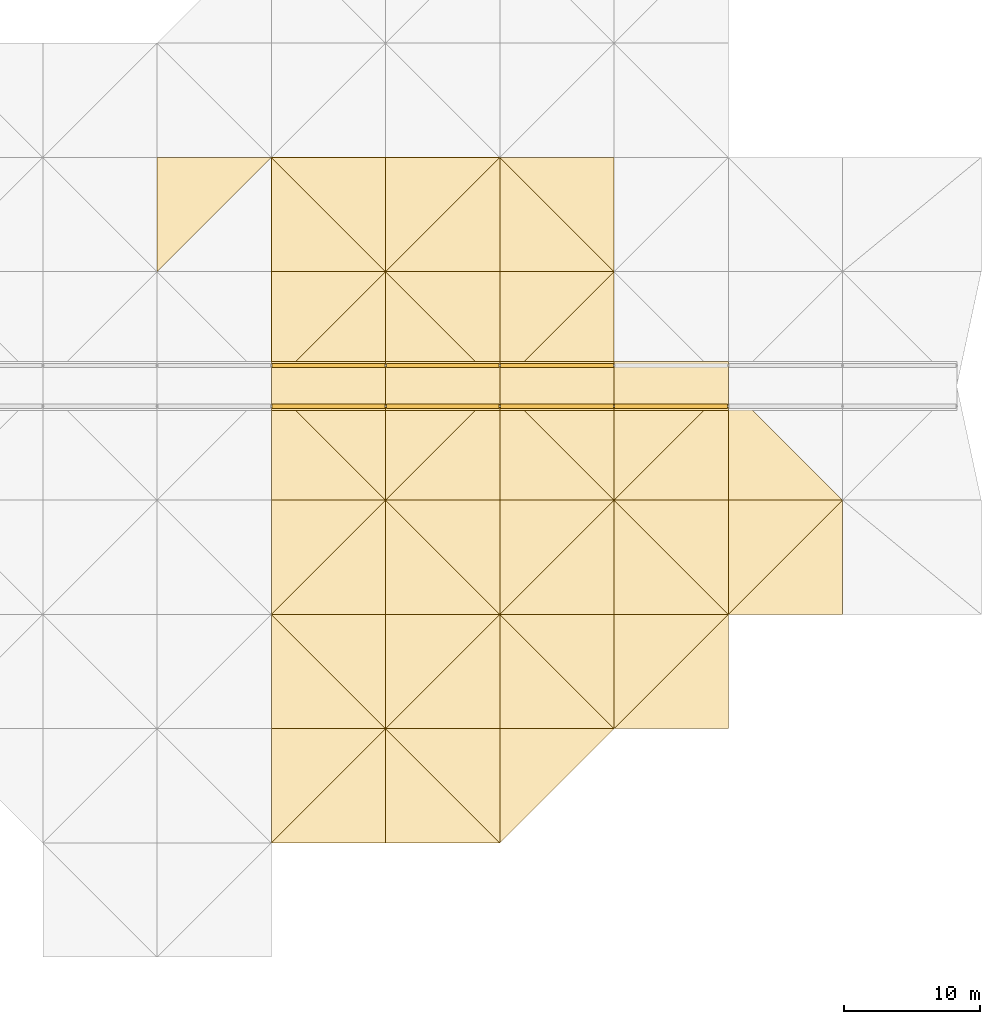
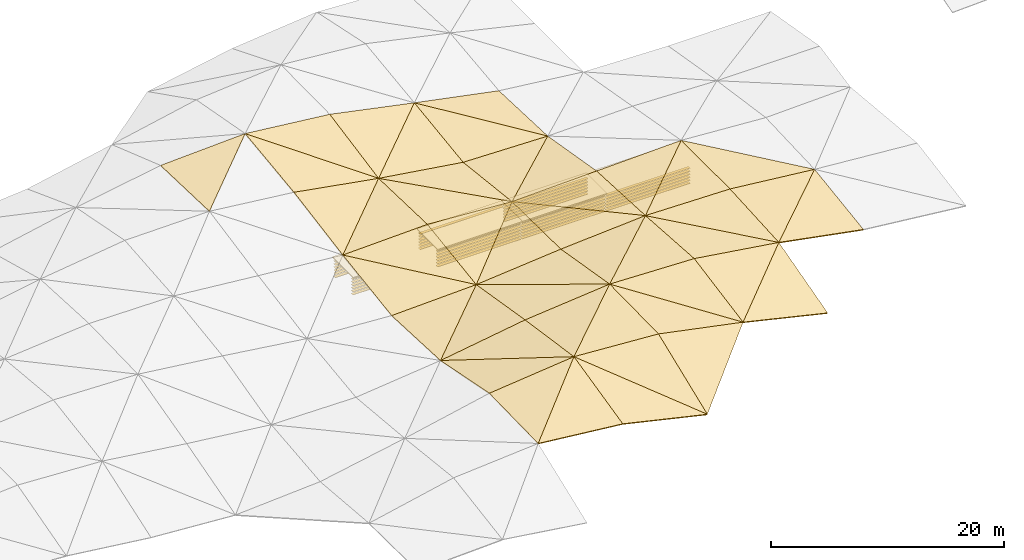
# One storey, part 40 of 46: 49 coverings, 42 shading devices.
"""IFC4 building model written with IfcOpenShell, lengths in metres."""

from ifc_helpers import new_model, si_unit, direction, frame, origin, origin_2d, place, context, subcontext, project, spatial, polyline, rectangle, outline, extrude, material, layer, layer_set, type_object, element, save


model = new_model("IFC4")

# Units and contexts
model_context = context("Model", 3, precision=1e-05, world=origin(), true_north=direction((0.0, 1.0)))
body_context = subcontext(model_context, "Body", "Model", "MODEL_VIEW")
ifc_project = project(units=[si_unit("LENGTHUNIT", "METRE"), si_unit("AREAUNIT", "SQUARE_METRE"), si_unit("VOLUMEUNIT", "CUBIC_METRE"), si_unit("PLANEANGLEUNIT", "RADIAN"), si_unit("MASSUNIT", "GRAM", prefix="KILO")], contexts=[model_context])

# Site, building, storey
site_placement = place(None, origin())
site = spatial("IfcSite", under=ifc_project, at=site_placement, CompositionType="ELEMENT")
building_placement = place(site_placement, origin())
building = spatial("IfcBuilding", under=site, at=building_placement, Name="Rain Tree Exposition and Congress Centre", CompositionType="ELEMENT")
storey_placement = place(building_placement, frame((0.0, 0.0, 27.0)))
storey = spatial("IfcBuildingStorey", under=building, at=storey_placement, Name="ROOF VAULT CREST", CompositionType="ELEMENT", Elevation=27.0)

# Shading devices
ifc_material_1 = material(Name="Aluminium", Category="aluminium")
ifc_layer_1 = layer(ifc_material_1, 0.0400390625)
ifc_layer_set_1 = layer_set([ifc_layer_1], Name="Aluminium")
shading_device_type = type_object("IfcShadingDeviceType", Name="Lantern louvre blade 40", PredefinedType="JALOUSIE", material=ifc_layer_set_1)
for number, where, z_axis, x_axis, name in (
    (1, (79.800048828125, 149.699951171875, 0.14990234375), (0.0, 0.0, 1.0), (1.0, 0.0, 0.0), "Lantern louvre S8.1"),
    (2, (79.800048828125, 149.699951171875, 0.469970703125), (0.0, 0.0, 1.0), (1.0, 0.0, 0.0), "Lantern louvre S8.2"),
    (3, (79.800048828125, 149.699951171875, 0.7900390625), (0.0, 0.0, 1.0), (1.0, 0.0, 0.0), "Lantern louvre S8.3"),
    (4, (79.800048828125, 149.699951171875, 1.10986328125), (0.0, 0.0, 1.0), (1.0, 0.0, 0.0), "Lantern louvre S8.4"),
    (5, (79.800048828125, 149.699951171875, 1.429931640625), (0.0, 0.0, 1.0), (1.0, 0.0, 0.0), "Lantern louvre S8.5"),
    (6, (79.800048828125, 149.699951171875, 1.75), (0.0, 0.0, 1.0), (1.0, 0.0, 0.0), "Lantern louvre S8.6"),
    (7, (88.199951171875, 149.699951171875, 0.14990234375), (0.0, 0.0, 1.0), (1.0, 0.0, 0.0), "Lantern louvre S9.1"),
    (8, (88.199951171875, 149.699951171875, 0.469970703125), (0.0, 0.0, 1.0), (1.0, 0.0, 0.0), "Lantern louvre S9.2"),
    (9, (88.199951171875, 149.699951171875, 0.7900390625), (0.0, 0.0, 1.0), (1.0, 0.0, 0.0), "Lantern louvre S9.3"),
    (10, (88.199951171875, 149.699951171875, 1.10986328125), (0.0, 0.0, 1.0), (1.0, 0.0, 0.0), "Lantern louvre S9.4"),
    (11, (88.199951171875, 149.699951171875, 1.429931640625), (0.0, 0.0, 1.0), (1.0, 0.0, 0.0), "Lantern louvre S9.5"),
    (12, (88.199951171875, 149.699951171875, 1.75), (0.0, 0.0, 1.0), (1.0, 0.0, 0.0), "Lantern louvre S9.6"),
    (13, (96.60009765625, 149.699951171875, 0.14990234375), (0.0, 0.0, 1.0), (1.0, 0.0, 0.0), "Lantern louvre S10.1"),
    (14, (96.60009765625, 149.699951171875, 0.469970703125), (0.0, 0.0, 1.0), (1.0, 0.0, 0.0), "Lantern louvre S10.2"),
    (15, (96.60009765625, 149.699951171875, 0.7900390625), (0.0, 0.0, 1.0), (1.0, 0.0, 0.0), "Lantern louvre S10.3"),
    (16, (96.60009765625, 149.699951171875, 1.10986328125), (0.0, 0.0, 1.0), (1.0, 0.0, 0.0), "Lantern louvre S10.4"),
    (17, (96.60009765625, 149.699951171875, 1.429931640625), (0.0, 0.0, 1.0), (1.0, 0.0, 0.0), "Lantern louvre S10.5"),
    (18, (96.60009765625, 149.699951171875, 1.75), (0.0, 0.0, 1.0), (1.0, 0.0, 0.0), "Lantern louvre S10.6"),
    (19, (105.0, 149.699951171875, 0.14990234375), (0.0, 0.0, 1.0), (1.0, 0.0, 0.0), "Lantern louvre S11.1"),
    (20, (105.0, 149.699951171875, 0.469970703125), (0.0, 0.0, 1.0), (1.0, 0.0, 0.0), "Lantern louvre S11.2"),
    (21, (105.0, 149.699951171875, 0.7900390625), (0.0, 0.0, 1.0), (1.0, 0.0, 0.0), "Lantern louvre S11.3"),
    (22, (105.0, 149.699951171875, 1.10986328125), (0.0, 0.0, 1.0), (1.0, 0.0, 0.0), "Lantern louvre S11.4"),
    (23, (105.0, 149.699951171875, 1.429931640625), (0.0, 0.0, 1.0), (1.0, 0.0, 0.0), "Lantern louvre S11.5"),
    (24, (105.0, 149.699951171875, 1.75), (0.0, 0.0, 1.0), (1.0, 0.0, 0.0), "Lantern louvre S11.6"),
    (25, (79.800048828125, 152.699951171875, 0.14990234375), (0.0, 0.0, 1.0), (1.0, 0.0, 0.0), "Lantern louvre N8.1"),
    (26, (79.800048828125, 152.699951171875, 0.469970703125), (0.0, 0.0, 1.0), (1.0, 0.0, 0.0), "Lantern louvre N8.2"),
    (27, (79.800048828125, 152.699951171875, 0.7900390625), (0.0, 0.0, 1.0), (1.0, 0.0, 0.0), "Lantern louvre N8.3"),
    (28, (79.800048828125, 152.699951171875, 1.10986328125), (0.0, 0.0, 1.0), (1.0, 0.0, 0.0), "Lantern louvre N8.4"),
    (29, (79.800048828125, 152.699951171875, 1.429931640625), (0.0, 0.0, 1.0), (1.0, 0.0, 0.0), "Lantern louvre N8.5"),
    (30, (79.800048828125, 152.699951171875, 1.75), (0.0, 0.0, 1.0), (1.0, 0.0, 0.0), "Lantern louvre N8.6"),
    (31, (88.199951171875, 152.699951171875, 0.14990234375), (0.0, 0.0, 1.0), (1.0, 0.0, 0.0), "Lantern louvre N9.1"),
    (32, (88.199951171875, 152.699951171875, 0.469970703125), (0.0, 0.0, 1.0), (1.0, 0.0, 0.0), "Lantern louvre N9.2"),
    (33, (88.199951171875, 152.699951171875, 0.7900390625), (0.0, 0.0, 1.0), (1.0, 0.0, 0.0), "Lantern louvre N9.3"),
    (34, (88.199951171875, 152.699951171875, 1.10986328125), (0.0, 0.0, 1.0), (1.0, 0.0, 0.0), "Lantern louvre N9.4"),
    (35, (88.199951171875, 152.699951171875, 1.429931640625), (0.0, 0.0, 1.0), (1.0, 0.0, 0.0), "Lantern louvre N9.5"),
    (36, (88.199951171875, 152.699951171875, 1.75), (0.0, 0.0, 1.0), (1.0, 0.0, 0.0), "Lantern louvre N9.6"),
    (37, (96.60009765625, 152.699951171875, 0.14990234375), (0.0, 0.0, 1.0), (1.0, 0.0, 0.0), "Lantern louvre N10.1"),
    (38, (96.60009765625, 152.699951171875, 0.469970703125), (0.0, 0.0, 1.0), (1.0, 0.0, 0.0), "Lantern louvre N10.2"),
    (39, (96.60009765625, 152.699951171875, 0.7900390625), (0.0, 0.0, 1.0), (1.0, 0.0, 0.0), "Lantern louvre N10.3"),
    (40, (96.60009765625, 152.699951171875, 1.10986328125), (0.0, 0.0, 1.0), (1.0, 0.0, 0.0), "Lantern louvre N10.4"),
    (41, (96.60009765625, 152.699951171875, 1.429931640625), (0.0, 0.0, 1.0), (1.0, 0.0, 0.0), "Lantern louvre N10.5"),
    (42, (96.60009765625, 152.699951171875, 1.75), (0.0, 0.0, 1.0), (1.0, 0.0, 0.0), "Lantern louvre N10.6"),
):
    element("IfcShadingDevice", number, at=place(storey_placement, frame(where, z_axis=z_axis, x_axis=x_axis)), inside=storey, type_object=shading_device_type, Name=name, PredefinedType="JALOUSIE", context=body_context, shape_type="SweptSolid", body=[
        extrude(rectangle(XDim=8.300048828125, YDim=0.300048828125, at=origin_2d()), origin(), (0.0, 0.0, 1.0), 0.0400390625),
    ])

# Coverings
ifc_material_2 = material(Name="Aluminium composite", Category="aluminium")
ifc_layer_2 = layer(ifc_material_2, 0.1201171875)
ifc_layer_set_2 = layer_set([ifc_layer_2], Name="Aluminium composite")
covering_type_1 = type_object("IfcCoveringType", Name="Ridge lantern cap 120", PredefinedType="CLADDING", material=ifc_layer_set_2)
for number, where, z_axis, x_axis, name in (
    (43, (79.800048828125, 151.199951171875, 2.02001953125), (0.0, 0.0, 1.0), (1.0, 0.0, 0.0), "Lantern cap 8"),
    (44, (88.199951171875, 151.199951171875, 2.02001953125), (0.0, 0.0, 1.0), (1.0, 0.0, 0.0), "Lantern cap 9"),
    (45, (96.60009765625, 151.199951171875, 2.02001953125), (0.0, 0.0, 1.0), (1.0, 0.0, 0.0), "Lantern cap 10"),
    (46, (105.0, 151.199951171875, 2.02001953125), (0.0, 0.0, 1.0), (1.0, 0.0, 0.0), "Lantern cap 11"),
):
    element("IfcCovering", number, at=place(storey_placement, frame(where, z_axis=z_axis, x_axis=x_axis)), inside=storey, type_object=covering_type_1, Name=name, PredefinedType="CLADDING", context=body_context, shape_type="SweptSolid", body=[
        extrude(rectangle(XDim=8.39990234375, YDim=3.60009765625, at=origin_2d()), origin(), (0.0, 0.0, 1.0), 0.1201171875),
    ])
ifc_material_3 = material(Name="Aluminium composite cladding", Category="aluminium")
ifc_layer_3 = layer(ifc_material_3, 0.10009765625)
ifc_layer_set_3 = layer_set([ifc_layer_3], Name="Aluminium composite cladding")
covering_type_2 = type_object("IfcCoveringType", Name="Triangular aluminium roof skin facet 100", PredefinedType="CLADDING", material=ifc_layer_set_3)
covering_1_placement = place(storey_placement, frame((75.60009765625, 117.60009765625, 3.991943359375), z_axis=(0.101493435857, -0.225600420268, 0.968918744195), x_axis=(0.994558544125, 0.0, -0.104179183661)))
element("IfcCovering", 47, at=covering_1_placement, inside=storey, type_object=covering_type_2, Name="Roof skin facet A73", PredefinedType="CLADDING", context=body_context, shape_type="SweptSolid", body=[
    extrude(outline(polyline([(0.0, 0.0), (8.445860118914453, 0.0), (8.242105372746252, 8.622182918682377), (0.0, 0.0)])), origin(), (0.0, 0.0, -1.0), 0.10009765625),
])
covering_2_placement = place(storey_placement, frame((75.60009765625, 117.60009765625, 3.991943359375), z_axis=(-0.106614318547, -0.020716115555, 0.994084618952), x_axis=(0.704224205261, 0.704224205261, 0.090202757443)))
element("IfcCovering", 48, at=covering_2_placement, inside=storey, type_object=covering_type_2, Name="Roof skin facet A74", PredefinedType="CLADDING", context=body_context, shape_type="SweptSolid", body=[
    extrude(outline(polyline([(0.0, 0.0), (11.927880753037012, 5.134781488891349e-16), (5.931204439277542, 5.950614705747556), (0.0, 0.0)])), origin(), (0.0, 0.0, -1.0), 0.10009765625),
])
covering_3_placement = place(storey_placement, frame((84.0, 117.60009765625, 3.112060546875), z_axis=(0.21931707875, -0.221250361147, 0.950235916318), x_axis=(0.974384035605, 0.0, -0.224890531499)))
element("IfcCovering", 49, at=covering_3_placement, inside=storey, type_object=covering_type_2, Name="Roof skin facet A75", PredefinedType="CLADDING", context=body_context, shape_type="SweptSolid", body=[
    extrude(outline(polyline([(0.0, 0.0), (8.62073067374583, -5.551115123125783e-17), (-0.4398432733972899, 8.613367063735957), (0.0, 0.0)])), origin(), (0.0, 0.0, -1.0), 0.10009765625),
])
covering_4_placement = place(storey_placement, frame((92.39990234375, 117.60009765625, 1.17333984375), z_axis=(0.060917741047, -0.369064473636, 0.927405220562), x_axis=(0.0, 0.929130811784, 0.369751179299)))
element("IfcCovering", 50, at=covering_4_placement, inside=storey, type_object=covering_type_2, Name="Roof skin facet A76", PredefinedType="CLADDING", context=body_context, shape_type="SweptSolid", body=[
    extrude(outline(polyline([(0.0, 0.0), (9.04060250420249, -2.7755575615628914e-17), (9.244615606061656, 8.415531755181089), (0.0, 0.0)])), origin(), (0.0, 0.0, -1.0), 0.10009765625),
])
covering_5_placement = place(storey_placement, frame((92.39990234375, 117.60009765625, 1.17333984375), z_axis=(0.185457732228, -0.36333682548, 0.913012475713), x_axis=(0.700501587145, 0.70048122787, 0.136468222706)))
element("IfcCovering", 51, at=covering_5_placement, inside=storey, type_object=covering_type_2, Name="Roof skin facet A78", PredefinedType="CLADDING", context=body_context, shape_type="SweptSolid", body=[
    extrude(outline(polyline([(0.0, 0.0), (11.991616633741403, -1.6653345369377348e-15), (6.340156257661951, 6.444758511179634), (0.0, 0.0)])), origin(), (0.0, 0.0, -1.0), 0.10009765625),
])
covering_6_placement = place(storey_placement, frame((75.60009765625, 126.0, 4.1669921875), z_axis=(-0.104650808755, 0.192115061927, 0.975776619523), x_axis=(0.994297997041, 0.0, 0.106637203077)))
element("IfcCovering", 52, at=covering_6_placement, inside=storey, type_object=covering_type_2, Name="Roof skin facet A101", PredefinedType="CLADDING", context=body_context, shape_type="SweptSolid", body=[
    extrude(outline(polyline([(0.0, 0.0), (8.448073282604913, 0.0), (-0.1763575228628882, 8.559342280422474), (0.0, 0.0)])), origin(), (0.0, 0.0, -1.0), 0.10009765625),
])
covering_7_placement = place(storey_placement, frame((84.0, 126.0, 5.06787109375), z_axis=(-0.153891696484, 0.143435244434, 0.977621438189), x_axis=(0.0, 0.989407536122, -0.14516448417)))
element("IfcCovering", 53, at=covering_7_placement, inside=storey, type_object=covering_type_2, Name="Roof skin facet A102", PredefinedType="CLADDING", context=body_context, shape_type="SweptSolid", body=[
    extrude(outline(polyline([(0.0, 0.0), (8.489830567362064, 0.0), (8.681776574750629, 8.501170654553466), (0.0, 0.0)])), origin(), (0.0, 0.0, -1.0), 0.10009765625),
])
covering_8_placement = place(storey_placement, frame((84.0, 126.0, 5.06787109375), z_axis=(0.065536231198, -0.016326061135, 0.997716624161), x_axis=(0.997849616578, 0.0, -0.065544966967)))
element("IfcCovering", 54, at=covering_8_placement, inside=storey, type_object=covering_type_2, Name="Roof skin facet A103", PredefinedType="CLADDING", context=body_context, shape_type="SweptSolid", body=[
    extrude(outline(polyline([(0.0, 0.0), (8.4180042805995, 0.0), (8.408995048079378, 8.4010220237133), (0.0, 0.0)])), origin(), (0.0, 0.0, -1.0), 0.10009765625),
])
covering_9_placement = place(storey_placement, frame((84.0, 126.0, 5.06787109375), z_axis=(-0.095919812682, 0.144495140082, 0.984845441695), x_axis=(0.706677121755, 0.706677121755, -0.034855289066)))
element("IfcCovering", 55, at=covering_9_placement, inside=storey, type_object=covering_type_2, Name="Roof skin facet A104", PredefinedType="CLADDING", context=body_context, shape_type="SweptSolid", body=[
    extrude(outline(polyline([(0.0, 0.0), (11.886478400331171, -4.718447854656915e-16), (5.978975232009903, 6.027360802003426), (0.0, 0.0)])), origin(), (0.0, 0.0, -1.0), 0.10009765625),
])
covering_10_placement = place(storey_placement, frame((92.39990234375, 126.0, 4.51611328125), z_axis=(0.199036471677, -0.016033880451, 0.979860907282), x_axis=(0.979986885502, 0.0, -0.199062061289)))
element("IfcCovering", 56, at=covering_10_placement, inside=storey, type_object=covering_type_2, Name="Roof skin facet A105", PredefinedType="CLADDING", context=body_context, shape_type="SweptSolid", body=[
    extrude(outline(polyline([(0.0, 0.0), (8.571692752882504, 0.0), (-0.02736131360002975, 8.40098229778546), (0.0, 0.0)])), origin(), (0.0, 0.0, -1.0), 0.10009765625),
])
covering_11_placement = place(storey_placement, frame((100.800048828125, 126.0, 2.809814453125), z_axis=(0.030804590216, -0.184804363218, 0.98229243332), x_axis=(0.0, 0.982758825106, 0.184892108205)))
element("IfcCovering", 57, at=covering_11_placement, inside=storey, type_object=covering_type_2, Name="Roof skin facet A106", PredefinedType="CLADDING", context=body_context, shape_type="SweptSolid", body=[
    extrude(outline(polyline([(0.0, 0.0), (8.547267273682676, 0.0), (8.595972982851006, 8.404134868271097), (0.0, 0.0)])), origin(), (0.0, 0.0, -1.0), 0.10009765625),
])
covering_12_placement = place(storey_placement, frame((100.800048828125, 126.0, 2.809814453125), z_axis=(0.220524219908, -0.258358051612, 0.940542495372), x_axis=(0.973596857141, 0.0, -0.22827430816)))
element("IfcCovering", 58, at=covering_12_placement, inside=storey, type_object=covering_type_2, Name="Roof skin facet A107", PredefinedType="CLADDING", context=body_context, shape_type="SweptSolid", body=[
    extrude(outline(polyline([(0.0, 0.0), (8.62770075944984, 0.0), (8.100986773507397, 8.695107942917936), (0.0, 0.0)])), origin(), (0.0, 0.0, -1.0), 0.10009765625),
])
covering_13_placement = place(storey_placement, frame((100.800048828125, 126.0, 2.809814453125), z_axis=(0.143848320035, -0.182969183648, 0.972537885462), x_axis=(0.706820913284, 0.706820913284, 0.028432254374)))
element("IfcCovering", 59, at=covering_13_placement, inside=storey, type_object=covering_type_2, Name="Roof skin facet A108", PredefinedType="CLADDING", context=body_context, shape_type="SweptSolid", body=[
    extrude(outline(polyline([(0.0, 0.0), (11.884060284411905, 2.7755575615628914e-17), (5.982158770754525, 6.104879547480983), (0.0, 0.0)])), origin(), (0.0, 0.0, -1.0), 0.10009765625),
])
covering_14_placement = place(storey_placement, frame((75.60009765625, 134.39990234375, 2.51318359375), z_axis=(-0.153460412631, 0.161417755037, 0.974881639028), x_axis=(0.987835953886, 0.0, 0.155499608389)))
element("IfcCovering", 60, at=covering_14_placement, inside=storey, type_object=covering_type_2, Name="Roof skin facet A129", PredefinedType="CLADDING", context=body_context, shape_type="SweptSolid", body=[
    extrude(outline(polyline([(0.0, 0.0), (8.503337331165534, 2.7755575615628914e-17), (8.287057724477314, 8.511768386007189), (0.0, 0.0)])), origin(), (0.0, 0.0, -1.0), 0.10009765625),
])
covering_15_placement = place(storey_placement, frame((75.60009765625, 134.39990234375, 2.51318359375), z_axis=(-0.036733962166, 0.044886088346, 0.99831651048), x_axis=(0.707084714642, 0.707105265845, -0.005774888241)))
element("IfcCovering", 61, at=covering_15_placement, inside=storey, type_object=covering_type_2, Name="Roof skin facet A130", PredefinedType="CLADDING", context=body_context, shape_type="SweptSolid", body=[
    extrude(outline(polyline([(0.0, 0.0), (11.879626542356055, 1.1353765150268202e-15), (5.941968904796432, 5.949631321830643), (0.0, 0.0)])), origin(), (0.0, 0.0, -1.0), 0.10009765625),
])
covering_16_placement = place(storey_placement, frame((84.0, 134.39990234375, 3.83544921875), z_axis=(-0.095647025471, 0.162603780121, 0.982044630966), x_axis=(0.995290507891, 0.0, 0.096937118292)))
element("IfcCovering", 62, at=covering_16_placement, inside=storey, type_object=covering_type_2, Name="Roof skin facet A131", PredefinedType="CLADDING", context=body_context, shape_type="SweptSolid", body=[
    extrude(outline(polyline([(0.0, 0.0), (8.439648803193958, 0.0), (-0.13482684641293907, 8.513448164333118), (0.0, 0.0)])), origin(), (0.0, 0.0, -1.0), 0.10009765625),
])
covering_17_placement = place(storey_placement, frame((92.39990234375, 134.39990234375, 4.653564453125), z_axis=(-0.091969822078, 0.166214285881, 0.981791405033), x_axis=(0.0, 0.985970148922, -0.166921734457)))
element("IfcCovering", 63, at=covering_17_placement, inside=storey, type_object=covering_type_2, Name="Roof skin facet A132", PredefinedType="CLADDING", context=body_context, shape_type="SweptSolid", body=[
    extrude(outline(polyline([(0.0, 0.0), (8.519676273725995, 0.0), (8.651021183432015, 8.435654378665541), (0.0, 0.0)])), origin(), (0.0, 0.0, -1.0), 0.10009765625),
])
covering_18_placement = place(storey_placement, frame((92.39990234375, 134.39990234375, 4.653564453125), z_axis=(0.03127040344, 0.068713741016, 0.997146219801), x_axis=(0.999508640796, 0.0, -0.031344488721)))
element("IfcCovering", 64, at=covering_18_placement, inside=storey, type_object=covering_type_2, Name="Roof skin facet A133", PredefinedType="CLADDING", context=body_context, shape_type="SweptSolid", body=[
    extrude(outline(polyline([(0.0, 0.0), (8.40427600273787, 0.0), (8.42241999266883, 8.420047961231983), (0.0, 0.0)])), origin(), (0.0, 0.0, -1.0), 0.10009765625),
])
covering_19_placement = place(storey_placement, frame((92.39990234375, 134.39990234375, 4.653564453125), z_axis=(-0.067901143225, 0.166536488119, 0.983694583127), x_axis=(0.705336118129, 0.705336118129, -0.070724259818)))
element("IfcCovering", 65, at=covering_19_placement, inside=storey, type_object=covering_type_2, Name="Roof skin facet A134", PredefinedType="CLADDING", context=body_context, shape_type="SweptSolid", body=[
    extrude(outline(polyline([(0.0, 0.0), (11.909423420231327, 2.220446049250313e-16), (6.025505036593221, 6.023136463926366), (0.0, 0.0)])), origin(), (0.0, 0.0, -1.0), 0.10009765625),
])
covering_20_placement = place(storey_placement, frame((100.800048828125, 134.39990234375, 4.39013671875), z_axis=(0.145979582965, 0.068010912104, 0.986947048829), x_axis=(0.989237551886, 0.0, -0.146318371841)))
element("IfcCovering", 66, at=covering_20_placement, inside=storey, type_object=covering_type_2, Name="Roof skin facet A135", PredefinedType="CLADDING", context=body_context, shape_type="SweptSolid", body=[
    extrude(outline(polyline([(0.0, 0.0), (8.491289405394383, 0.0), (0.0846974754966217, 8.419641513239263), (0.0, 0.0)])), origin(), (0.0, 0.0, -1.0), 0.10009765625),
])
covering_21_placement = place(storey_placement, frame((109.199951171875, 134.39990234375, 3.147705078125), z_axis=(0.017054907795, -0.061778737759, 0.997944145572), x_axis=(0.0, 0.998089313188, 0.061787724506)))
element("IfcCovering", 67, at=covering_21_placement, inside=storey, type_object=covering_type_2, Name="Roof skin facet A136", PredefinedType="CLADDING", context=body_context, shape_type="SweptSolid", body=[
    extrude(outline(polyline([(0.0, 0.0), (8.416227258804216, 0.0), (8.425097176287064, 8.401124249611108), (0.0, 0.0)])), origin(), (0.0, 0.0, -1.0), 0.10009765625),
])
covering_22_placement = place(storey_placement, frame((109.199951171875, 134.39990234375, 3.147705078125), z_axis=(0.18309178657, -0.141100851735, 0.972917235601), x_axis=(0.98274942039, 0.0, -0.184942090186)))
element("IfcCovering", 68, at=covering_22_placement, inside=storey, type_object=covering_type_2, Name="Roof skin facet A137", PredefinedType="CLADDING", context=body_context, shape_type="SweptSolid", body=[
    extrude(outline(polyline([(0.0, 0.0), (8.54759749544098, 0.0), (8.322289626781835, 8.485037356349686), (0.0, 0.0)])), origin(), (0.0, 0.0, -1.0), 0.10009765625),
])
covering_23_placement = place(storey_placement, frame((109.199951171875, 134.39990234375, 3.147705078125), z_axis=(0.104293209801, -0.06145077092, 0.992646326313), x_axis=(0.706777716665, 0.706777716665, -0.030504400536)))
element("IfcCovering", 69, at=covering_23_placement, inside=storey, type_object=covering_type_2, Name="Roof skin facet A138", PredefinedType="CLADDING", context=body_context, shape_type="SweptSolid", body=[
    extrude(outline(polyline([(0.0, 0.0), (11.885132038420531, -3.95516952522712e-16), (5.9211734678088765, 5.98101881253983), (0.0, 0.0)])), origin(), (0.0, 0.0, -1.0), 0.10009765625),
])
covering_24_placement = place(storey_placement, frame((75.60009765625, 142.800048828125, 2.135498046875), z_axis=(-0.036361935311, -0.148750760645, 0.988205960753), x_axis=(0.999323717245, 0.0, 0.036771023253)))
element("IfcCovering", 70, at=covering_24_placement, inside=storey, type_object=covering_type_2, Name="Roof skin facet A157", PredefinedType="CLADDING", context=body_context, shape_type="SweptSolid", body=[
    extrude(outline(polyline([(0.0, 0.0), (8.405586897211782, 0.0), (0.046493439801209714, 8.494404980370795), (0.0, 0.0)])), origin(), (0.0, 0.0, -1.0), 0.10009765625),
])
covering_25_placement = place(storey_placement, frame((84.0, 142.800048828125, 2.444580078125), z_axis=(-0.032621632112, -0.145087223701, 0.988880946645), x_axis=(0.0, 0.989407536122, 0.14516448417)))
element("IfcCovering", 71, at=covering_25_placement, inside=storey, type_object=covering_type_2, Name="Roof skin facet A158", PredefinedType="CLADDING", context=body_context, shape_type="SweptSolid", body=[
    extrude(outline(polyline([(0.0, 0.0), (8.489830567362064, 0.0), (8.449605545503493, 8.404375379864288), (0.0, 0.0)])), origin(), (0.0, 0.0, -1.0), 0.10009765625),
])
covering_26_placement = place(storey_placement, frame((84.0, 142.800048828125, 2.444580078125), z_axis=(-0.09325946867, 0.012876346124, 0.995558572468), x_axis=(0.995641114682, 0.0, 0.093267200855)))
element("IfcCovering", 72, at=covering_26_placement, inside=storey, type_object=covering_type_2, Name="Roof skin facet A159", PredefinedType="CLADDING", context=body_context, shape_type="SweptSolid", body=[
    extrude(outline(polyline([(0.0, 0.0), (8.436676850609176, 0.0), (8.42654406145378, 8.400598783473848), (0.0, 0.0)])), origin(), (0.0, 0.0, -1.0), 0.10009765625),
])
covering_27_placement = place(storey_placement, frame((84.0, 142.800048828125, 2.444580078125), z_axis=(0.065139367952, -0.144856180363, 0.987306208708), x_axis=(0.705957143526, 0.705957143526, 0.057000201846)))
element("IfcCovering", 73, at=covering_27_placement, inside=storey, type_object=covering_type_2, Name="Roof skin facet A160", PredefinedType="CLADDING", context=body_context, shape_type="SweptSolid", body=[
    extrude(outline(polyline([(0.0, 0.0), (11.89860095727747, -4.996003610813204e-16), (6.000219360121784, 6.0062126746340745), (0.0, 0.0)])), origin(), (0.0, 0.0, -1.0), 0.10009765625),
])
covering_28_placement = place(storey_placement, frame((92.39990234375, 142.800048828125, 3.2314453125), z_axis=(-0.068857060214, 0.012902013633, 0.997543103481), x_axis=(0.997626140336, 0.0, 0.06886279197)))
element("IfcCovering", 74, at=covering_28_placement, inside=storey, type_object=covering_type_2, Name="Roof skin facet A161", PredefinedType="CLADDING", context=body_context, shape_type="SweptSolid", body=[
    extrude(outline(polyline([(0.0, 0.0), (8.420134702508856, 0.0), (-0.007481431256464478, 8.400601563132534), (0.0, 0.0)])), origin(), (0.0, 0.0, -1.0), 0.10009765625),
])
covering_29_placement = place(storey_placement, frame((100.800048828125, 142.800048828125, 3.811279296875), z_axis=(-0.032930115905, 0.048888861692, 0.998261231677), x_axis=(0.0, 0.998802925787, -0.048915390628)))
element("IfcCovering", 75, at=covering_29_placement, inside=storey, type_object=covering_type_2, Name="Roof skin facet A162", PredefinedType="CLADDING", context=body_context, shape_type="SweptSolid", body=[
    extrude(outline(polyline([(0.0, 0.0), (8.409969701616001, 1.734723475976807e-18), (8.423524137251473, 8.404704719961792), (0.0, 0.0)])), origin(), (0.0, 0.0, -1.0), 0.10009765625),
])
covering_30_placement = place(storey_placement, frame((100.800048828125, 142.800048828125, 3.811279296875), z_axis=(0.017087536822, -0.001104296597, 0.99985338756), x_axis=(0.999853997206, 0.0, -0.017087547241)))
element("IfcCovering", 76, at=covering_30_placement, inside=storey, type_object=covering_type_2, Name="Roof skin facet A163", PredefinedType="CLADDING", context=body_context, shape_type="SweptSolid", body=[
    extrude(outline(polyline([(0.0, 0.0), (8.401128932044786, 2.710505431213761e-20), (8.400970404995192, 8.399907465473236), (0.0, 0.0)])), origin(), (0.0, 0.0, -1.0), 0.10009765625),
])
covering_31_placement = place(storey_placement, frame((100.800048828125, 142.800048828125, 3.811279296875), z_axis=(-0.032931071971, 0.048888860151, 0.998261200214), x_axis=(0.707061612194, 0.707061612194, -0.011302792731)))
element("IfcCovering", 77, at=covering_31_placement, inside=storey, type_object=covering_type_2, Name="Roof skin facet A164", PredefinedType="CLADDING", context=body_context, shape_type="SweptSolid", body=[
    extrude(outline(polyline([(0.0, 0.0), (11.8800146958713, 2.2724877535296173e-16), (5.943898201878733, 5.949593645603196), (0.0, 0.0)])), origin(), (0.0, 0.0, -1.0), 0.10009765625),
])
covering_32_placement = place(storey_placement, frame((109.199951171875, 142.800048828125, 3.667724609375), z_axis=(0.104490622088, -0.001098411907, 0.994525265334), x_axis=(0.994525865286, 0.0, -0.104490685122)))
element("IfcCovering", 78, at=covering_32_placement, inside=storey, type_object=covering_type_2, Name="Roof skin facet A165", PredefinedType="CLADDING", context=body_context, shape_type="SweptSolid", body=[
    extrude(outline(polyline([(0.0, 0.0), (8.446383123439734, 1.0842021724855044e-19), (-0.0009693960045540709, 8.39990741103229), (0.0, 0.0)])), origin(), (0.0, 0.0, -1.0), 0.10009765625),
])
covering_33_placement = place(storey_placement, frame((75.60009765625, 151.199951171875, 3.39990234375), z_axis=(-0.032954314517, 0.031327464246, 0.99896576675), x_axis=(0.999456325364, 0.0, 0.032970497276)))
element("IfcCovering", 79, at=covering_33_placement, inside=storey, type_object=covering_type_2, Name="Roof skin facet A185", PredefinedType="CLADDING", context=body_context, shape_type="SweptSolid", body=[
    extrude(outline(polyline([(0.0, 0.0), (8.40447164181381, 0.0), (8.395786298415103, 8.404271514831354), (0.0, 0.0)])), origin(), (0.0, 0.0, -1.0), 0.10009765625),
])
covering_34_placement = place(storey_placement, frame((75.60009765625, 151.199951171875, 3.39990234375), z_axis=(0.17091670574, -0.172490599566, 0.970069313379), x_axis=(0.70709603705, 0.707116588583, 0.001150885836)))
element("IfcCovering", 80, at=covering_34_placement, inside=storey, type_object=covering_type_2, Name="Roof skin facet A186", PredefinedType="CLADDING", context=body_context, shape_type="SweptSolid", body=[
    extrude(outline(polyline([(0.0, 0.0), (11.879436319272918, -6.114900252818245e-16), (5.941601948956357, 6.122975139840564), (0.0, 0.0)])), origin(), (0.0, 0.0, -1.0), 0.10009765625),
])
covering_35_placement = place(storey_placement, frame((84.0, 151.199951171875, 3.677001953125), z_axis=(0.065801526807, 0.031276556782, 0.997342436712), x_axis=(0.997830606552, 0.0, -0.065833734723)))
element("IfcCovering", 81, at=covering_35_placement, inside=storey, type_object=covering_type_2, Name="Roof skin facet A187", PredefinedType="CLADDING", context=body_context, shape_type="SweptSolid", body=[
    extrude(outline(polyline([(0.0, 0.0), (8.41816465499457, 0.0), (0.017342431583479367, 8.404258109450375), (0.0, 0.0)])), origin(), (0.0, 0.0, -1.0), 0.10009765625),
])
covering_36_placement = place(storey_placement, frame((92.39990234375, 151.199951171875, 3.122802734375), z_axis=(0.146562754184, 0.11253955727, 0.982778819031), x_axis=(0.0, 0.993507332763, -0.113768096349)))
element("IfcCovering", 82, at=covering_36_placement, inside=storey, type_object=covering_type_2, Name="Roof skin facet A188", PredefinedType="CLADDING", context=body_context, shape_type="SweptSolid", body=[
    extrude(outline(polyline([(0.0, 0.0), (8.455042260248788, 0.0), (8.312526610256743, 8.49159995250563), (0.0, 0.0)])), origin(), (0.0, 0.0, -1.0), 0.10009765625),
])
covering_37_placement = place(storey_placement, frame((92.39990234375, 151.199951171875, 3.122802734375), z_axis=(-0.03250436313, 0.167390310569, 0.985354733233), x_axis=(0.99945635694, 0.0, 0.032969540068)))
element("IfcCovering", 83, at=covering_37_placement, inside=storey, type_object=covering_type_2, Name="Roof skin facet A189", PredefinedType="CLADDING", context=body_context, shape_type="SweptSolid", body=[
    extrude(outline(polyline([(0.0, 0.0), (8.404715649709598, 6.938893903907228e-18), (8.357668051638631, 8.520362789030523), (0.0, 0.0)])), origin(), (0.0, 0.0, -1.0), 0.10009765625),
])
covering_38_placement = place(storey_placement, frame((92.39990234375, 151.199951171875, 3.122802734375), z_axis=(0.022228372984, 0.113739986436, 0.993261856169), x_axis=(0.703817247151, 0.703817247151, -0.096346070104)))
element("IfcCovering", 84, at=covering_38_placement, inside=storey, type_object=covering_type_2, Name="Roof skin facet A190", PredefinedType="CLADDING", context=body_context, shape_type="SweptSolid", body=[
    extrude(outline(polyline([(0.0, 0.0), (11.935124520426132, 2.7755575615628914e-17), (6.0048446140010325, 5.952275261132983), (0.0, 0.0)])), origin(), (0.0, 0.0, -1.0), 0.10009765625),
])
covering_39_placement = place(storey_placement, frame((67.199951171875, 159.60009765625, 5.84130859375), z_axis=(-0.047845105163, 0.033106641401, 0.998305963223), x_axis=(0.707078523048, 0.707057972622, 0.010439616639)))
element("IfcCovering", 85, at=covering_39_placement, inside=storey, type_object=covering_type_2, Name="Roof skin facet A212", PredefinedType="CLADDING", context=body_context, shape_type="SweptSolid", body=[
    extrude(outline(polyline([(0.0, 0.0), (11.880075848097256, -2.8536201179818477e-16), (5.936309815293828, 5.949469162532718), (0.0, 0.0)])), origin(), (0.0, 0.0, -1.0), 0.10009765625),
])
covering_40_placement = place(storey_placement, frame((75.60009765625, 159.60009765625, 4.8935546875), z_axis=(0.172163617942, -0.124678040707, 0.977146393752), x_axis=(0.984830780508, 0.0, -0.173517531577)))
element("IfcCovering", 86, at=covering_40_placement, inside=storey, type_object=covering_type_2, Name="Roof skin facet A213", PredefinedType="CLADDING", context=body_context, shape_type="SweptSolid", body=[
    extrude(outline(polyline([(0.0, 0.0), (8.529284939103524, 2.7755575615628914e-17), (-0.18597215908763795, 8.46596010002155), (0.0, 0.0)])), origin(), (0.0, 0.0, -1.0), 0.10009765625),
])
covering_41_placement = place(storey_placement, frame((84.0, 159.60009765625, 3.41357421875), z_axis=(0.106575195874, -0.189917736593, 0.975998453355), x_axis=(0.0, 0.981588950619, 0.191005581131)))
element("IfcCovering", 87, at=covering_41_placement, inside=storey, type_object=covering_type_2, Name="Roof skin facet A214", PredefinedType="CLADDING", context=body_context, shape_type="SweptSolid", body=[
    extrude(outline(polyline([(0.0, 0.0), (8.557454052895652, -2.7755575615628914e-17), (8.732651310783615, 8.448016796088744), (0.0, 0.0)])), origin(), (0.0, 0.0, -1.0), 0.10009765625),
])
covering_42_placement = place(storey_placement, frame((84.0, 159.60009765625, 3.41357421875), z_axis=(0.146159365469, -0.134508774848, 0.980073889753), x_axis=(0.989062087879, 0.0, -0.147499784134)))
element("IfcCovering", 88, at=covering_42_placement, inside=storey, type_object=covering_type_2, Name="Roof skin facet A215", PredefinedType="CLADDING", context=body_context, shape_type="SweptSolid", body=[
    extrude(outline(polyline([(0.0, 0.0), (8.492795797844563, 2.7755575615628914e-17), (8.322753322092593, 8.476937338051574), (0.0, 0.0)])), origin(), (0.0, 0.0, -1.0), 0.10009765625),
])
covering_43_placement = place(storey_placement, frame((84.0, 159.60009765625, 3.41357421875), z_axis=(0.198635578509, -0.187199492978, 0.962029239046), x_axis=(0.707081801888, 0.707081801888, -0.00840540769)))
element("IfcCovering", 89, at=covering_43_placement, inside=storey, type_object=covering_type_2, Name="Roof skin facet A216", PredefinedType="CLADDING", context=body_context, shape_type="SweptSolid", body=[
    extrude(outline(polyline([(0.0, 0.0), (11.879675479307345, -1.0408340855860843e-16), (5.925679265445875, 6.1738436253670255), (0.0, 0.0)])), origin(), (0.0, 0.0, -1.0), 0.10009765625),
])
covering_44_placement = place(storey_placement, frame((92.39990234375, 159.60009765625, 2.160888671875), z_axis=(0.02216588661, -0.135935530772, 0.990469689059), x_axis=(0.999749680463, 0.0, -0.022373565087)))
element("IfcCovering", 90, at=covering_44_placement, inside=storey, type_object=covering_type_2, Name="Roof skin facet A217", PredefinedType="CLADDING", context=body_context, shape_type="SweptSolid", body=[
    extrude(outline(polyline([(0.0, 0.0), (8.402249731640032, 3.469446951953614e-18), (-0.025792962485814204, 8.478603410933841), (0.0, 0.0)])), origin(), (0.0, 0.0, -1.0), 0.10009765625),
])
covering_45_placement = place(storey_placement, frame((100.800048828125, 159.60009765625, 1.972900390625), z_axis=(0.195353943567, 0.038935209586, 0.979959634979), x_axis=(0.0, 0.9992116395, -0.039700119491)))
element("IfcCovering", 91, at=covering_45_placement, inside=storey, type_object=covering_type_2, Name="Roof skin facet A218", PredefinedType="CLADDING", context=body_context, shape_type="SweptSolid", body=[
    extrude(outline(polyline([(0.0, 0.0), (8.406529719722487, 0.0), (8.340049465917158, 8.56517334091739), (0.0, 0.0)])), origin(), (0.0, 0.0, -1.0), 0.10009765625),
])

save(model, "model.ifc")
